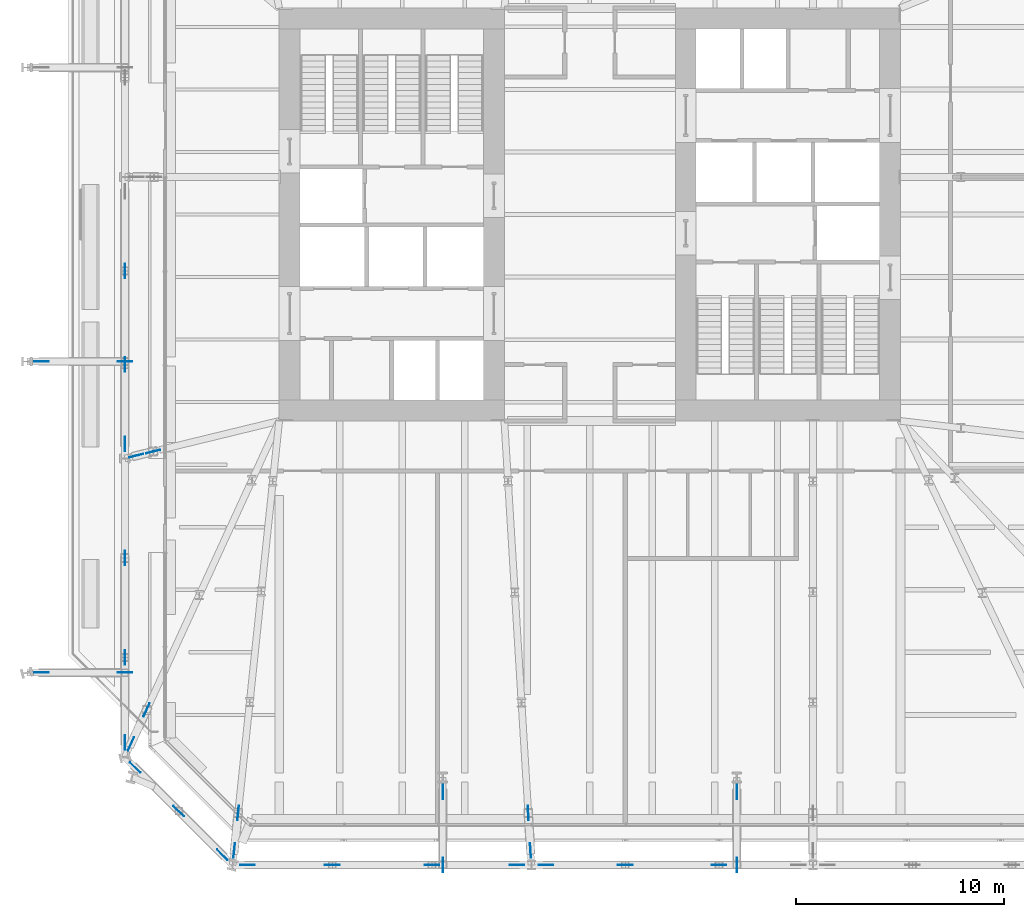
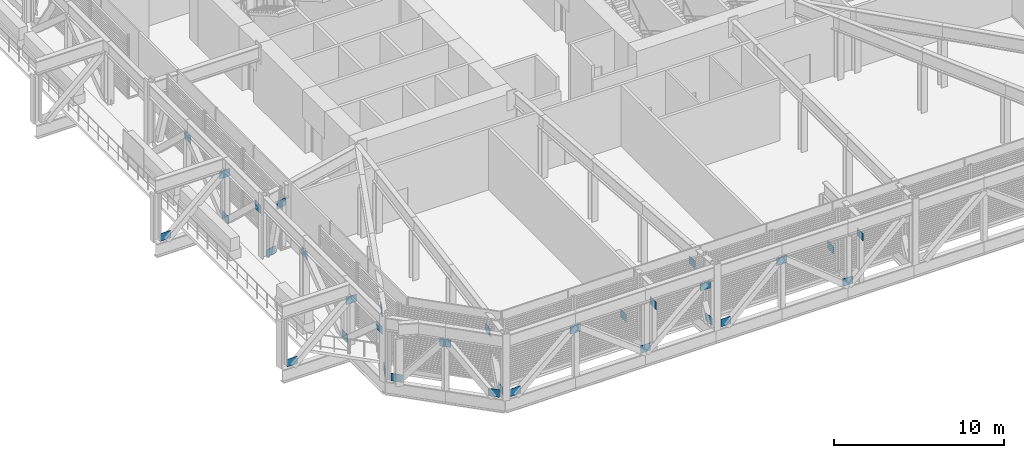
# One storey, part 23 of 29: 32 discrete accessories.
"""IFC4 building model written with IfcOpenShell, lengths in metres."""

from ifc_helpers import new_model, si_unit, direction, frame, origin, origin_2d, place, context, subcontext, project, spatial, rectangle, extrude, material, layer, layer_set, type_object, element, save


model = new_model("IFC4")

# Units and contexts
model_context = context("Model", 3, precision=1e-05, world=origin(), true_north=direction((0.0, 1.0)))
body_context = subcontext(model_context, "Body", "Model", "MODEL_VIEW")
ifc_project = project(units=[si_unit("LENGTHUNIT", "METRE"), si_unit("AREAUNIT", "SQUARE_METRE"), si_unit("VOLUMEUNIT", "CUBIC_METRE"), si_unit("PLANEANGLEUNIT", "RADIAN"), si_unit("MASSUNIT", "GRAM", prefix="KILO")], contexts=[model_context])

# Site, building, storey
site_placement = place(None, origin())
site = spatial("IfcSite", under=ifc_project, at=site_placement, CompositionType="ELEMENT")
building_placement = place(site_placement, origin())
building = spatial("IfcBuilding", under=site, at=building_placement, Name="Millrace Tower", CompositionType="ELEMENT")
storey_placement = place(building_placement, frame((0.0, 0.0, 68.60009765625)))
storey = spatial("IfcBuildingStorey", under=building, at=storey_placement, Name="L15", CompositionType="ELEMENT", Elevation=68.60009765625)

# Discrete accessories
ifc_material = material(Name="Steel ASTM A572 Grade 50", Category="steel")
ifc_layer = layer(ifc_material, 0.02490234375)
ifc_layer_set = layer_set([ifc_layer], Name="Steel ASTM A572 Grade 50")
discrete_accessory_type = type_object("IfcDiscreteAccessoryType", Name="Truss gusset plate 700x550x25", PredefinedType="BRACKET", material=ifc_layer_set)
for number, where, z_axis, x_axis, name in (
    (1, (-22.052490234375, -26.27587890625, 0.074951171875), (0.706932380706, -0.707281138664, 0.0), (0.707281138664, 0.706932380706, 0.0), "Truss gusset plate TRS-L15-R01-D01 foot"),
    (2, (-19.961669921875, -28.36669921875, 3.1318359375), (0.706932380706, -0.707281138664, 0.0), (0.707281138664, 0.706932380706, 0.0), "Truss gusset plate TRS-L15-R01-D01 head"),
    (3, (-17.870849609375, -30.45751953125, 0.074951171875), (0.707106781187, -0.707106781187, 0.0), (0.707106781187, 0.707106781187, 0.0), "Truss gusset plate TRS-L15-R01-D02 foot"),
    (4, (-16.7783203125, -31.199951171875, 0.074951171875), (1.0, 0.0, 0.0), (0.0, 1.0, 0.0), "Truss gusset plate TRS-L15-R02-D01 foot"),
):
    element("IfcDiscreteAccessory", number, at=place(storey_placement, frame(where, z_axis=z_axis, x_axis=x_axis)), inside=storey, type_object=discrete_accessory_type, Name=name, PredefinedType="BRACKET", context=body_context, shape_type="SweptSolid", body=[
        extrude(rectangle(XDim=0.02490234375, YDim=0.550048828125, at=origin_2d()), origin(), (0.0, 0.0, 1.0), 0.699951171875),
    ])
discrete_accessory_1_placement = place(storey_placement, frame((-12.702392578125, -31.199951171875, 3.1318359375), z_axis=(1.0, 0.0, 0.0), x_axis=(0.0, 1.0, 0.0)))
element("IfcDiscreteAccessory", 5, at=discrete_accessory_1_placement, inside=storey, type_object=discrete_accessory_type, Name="Truss gusset plate TRS-L15-R02-D01 head", PredefinedType="BRACKET", context=body_context, shape_type="SweptSolid", body=[
    extrude(rectangle(XDim=0.02490234375, YDim=0.550048828125, at=origin_2d()), origin(), (0.0, 0.0, 1.0), 0.7001953125),
])
discrete_accessory_2_placement = place(storey_placement, frame((-7.926025390625, -31.199951171875, 0.074951171875), z_axis=(1.0, 0.0, 0.0), x_axis=(0.0, 1.0, 0.0)))
element("IfcDiscreteAccessory", 6, at=discrete_accessory_2_placement, inside=storey, type_object=discrete_accessory_type, Name="Truss gusset plate TRS-L15-R02-D02 foot", PredefinedType="BRACKET", context=body_context, shape_type="SweptSolid", body=[
    extrude(rectangle(XDim=0.02490234375, YDim=0.550048828125, at=origin_2d()), origin(), (0.0, 0.0, 1.0), 0.699951171875),
])
discrete_accessory_3_placement = place(storey_placement, frame((-3.85009765625, -31.199951171875, 3.1318359375), z_axis=(1.0, 0.0, 0.0), x_axis=(0.0, 1.0, 0.0)))
element("IfcDiscreteAccessory", 7, at=discrete_accessory_3_placement, inside=storey, type_object=discrete_accessory_type, Name="Truss gusset plate TRS-L15-R02-D03 head", PredefinedType="BRACKET", context=body_context, shape_type="SweptSolid", body=[
    extrude(rectangle(XDim=0.02490234375, YDim=0.550048828125, at=origin_2d()), origin(), (0.0, 0.0, 1.0), 0.7001953125),
])
for number, where, z_axis, x_axis, name in (
    (8, (-2.449951171875, -31.199951171875, 0.074951171875), (1.0, 0.0, 0.0), (0.0, 1.0, 0.0), "Truss gusset plate TRS-L15-R03-D01 foot"),
    (9, (1.35009765625, -31.199951171875, 3.1318359375), (1.0, 0.0, 0.0), (0.0, 1.0, 0.0), "Truss gusset plate TRS-L15-R03-D01 head"),
    (10, (5.85009765625, -31.199951171875, 0.074951171875), (1.0, 0.0, 0.0), (0.0, 1.0, 0.0), "Truss gusset plate TRS-L15-R03-D02 foot"),
    (11, (-22.300048828125, -3.050048828125, 3.1318359375), (0.0, 1.0, 0.0), (-1.0, 0.0, 0.0), "Truss gusset plate TRS-L15-R15-D01 head"),
    (12, (-22.300048828125, -7.550048828125, 0.074951171875), (0.0, 1.0, 0.0), (-1.0, 0.0, 0.0), "Truss gusset plate TRS-L15-R15-D02 foot"),
):
    element("IfcDiscreteAccessory", number, at=place(storey_placement, frame(where, z_axis=z_axis, x_axis=x_axis)), inside=storey, type_object=discrete_accessory_type, Name=name, PredefinedType="BRACKET", context=body_context, shape_type="SweptSolid", body=[
        extrude(rectangle(XDim=0.02490234375, YDim=0.550048828125, at=origin_2d()), origin(), (0.0, 0.0, 1.0), 0.699951171875),
    ])
discrete_accessory_4_placement = place(storey_placement, frame((-22.300048828125, -11.35009765625, 3.1318359375), z_axis=(0.0, 1.0, 0.0), x_axis=(-1.0, 0.0, 0.0)))
element("IfcDiscreteAccessory", 13, at=discrete_accessory_4_placement, inside=storey, type_object=discrete_accessory_type, Name="Truss gusset plate TRS-L15-R15-D03 head", PredefinedType="BRACKET", context=body_context, shape_type="SweptSolid", body=[
    extrude(rectangle(XDim=0.02490234375, YDim=0.550048828125, at=origin_2d()), origin(), (0.0, 0.0, 1.0), 0.7001953125),
])
for number, where, z_axis, x_axis, name in (
    (14, (-22.300048828125, -21.602294921875, 0.074951171875), (0.0, 1.0, 0.0), (-1.0, 0.0, 0.0), "Truss gusset plate TRS-L15-R16-D02 foot"),
    (15, (-22.300048828125, -16.826171875, 3.1318359375), (0.0, 1.0, 0.0), (-1.0, 0.0, 0.0), "Truss gusset plate TRS-L15-R16-D02 head"),
    (16, (-22.300048828125, -25.678466796875, 3.1318359375), (0.0, 1.0, 0.0), (-1.0, 0.0, 0.0), "Truss gusset plate TRS-L15-R16-D03 head"),
):
    element("IfcDiscreteAccessory", number, at=place(storey_placement, frame(where, z_axis=z_axis, x_axis=x_axis)), inside=storey, type_object=discrete_accessory_type, Name=name, PredefinedType="BRACKET", context=body_context, shape_type="SweptSolid", body=[
        extrude(rectangle(XDim=0.02490234375, YDim=0.550048828125, at=origin_2d()), origin(), (0.0, 0.0, 1.0), 0.699951171875),
    ])
discrete_accessory_5_placement = place(storey_placement, frame((-22.154052734375, -25.710205078125, 0.074951171875), z_axis=(0.417243239978, 0.908794849618, 0.0), x_axis=(-0.908794849618, 0.417243239978, 0.0)))
element("IfcDiscreteAccessory", 17, at=discrete_accessory_5_placement, inside=storey, type_object=discrete_accessory_type, Name="Truss gusset plate TRS-L15-C01-D01 foot", PredefinedType="BRACKET", context=body_context, shape_type="SweptSolid", body=[
    extrude(rectangle(XDim=0.02490234375, YDim=0.550048828125, at=origin_2d()), origin(), (0.0, 0.0, 1.0), 0.69970703125),
])
for number, where, z_axis, x_axis, name in (
    (18, (-21.4033203125, -24.07421875, 3.1318359375), (0.416822850749, 0.908987739793, 0.0), (-0.908987739793, 0.416822850749, 0.0), "Truss gusset plate TRS-L15-C01-D01 head"),
    (19, (-17.092041015625, -30.851806640625, 0.074951171875), (0.10395837647, 0.994581648715, 0.0), (-0.994581648715, 0.10395837647, 0.0), "Truss gusset plate TRS-L15-C02-D01 foot"),
):
    element("IfcDiscreteAccessory", number, at=place(storey_placement, frame(where, z_axis=z_axis, x_axis=x_axis)), inside=storey, type_object=discrete_accessory_type, Name=name, PredefinedType="BRACKET", context=body_context, shape_type="SweptSolid", body=[
        extrude(rectangle(XDim=0.02490234375, YDim=0.550048828125, at=origin_2d()), origin(), (0.0, 0.0, 1.0), 0.699951171875),
    ])
discrete_accessory_6_placement = place(storey_placement, frame((-16.90478515625, -29.061767578125, 3.1318359375), z_axis=(0.104267266743, 0.994549313552, 0.0), x_axis=(-0.994549313552, 0.104267266743, 0.0)))
element("IfcDiscreteAccessory", 20, at=discrete_accessory_6_placement, inside=storey, type_object=discrete_accessory_type, Name="Truss gusset plate TRS-L15-C02-D01 head", PredefinedType="BRACKET", context=body_context, shape_type="SweptSolid", body=[
    extrude(rectangle(XDim=0.02490234375, YDim=0.550048828125, at=origin_2d()), origin(), (0.0, 0.0, 1.0), 0.7001953125),
])
discrete_accessory_7_placement = place(storey_placement, frame((-2.864013671875, -30.152099609375, 0.074951171875), z_axis=(0.06105331653, -0.998134506237, 0.0), x_axis=(0.998134506237, 0.06105331653, 0.0)))
element("IfcDiscreteAccessory", 21, at=discrete_accessory_7_placement, inside=storey, type_object=discrete_accessory_type, Name="Truss gusset plate TRS-L15-C03-D01 foot", PredefinedType="BRACKET", context=body_context, shape_type="SweptSolid", body=[
    extrude(rectangle(XDim=0.02490234375, YDim=0.550048828125, at=origin_2d()), origin(), (0.0, 0.0, 1.0), 0.69970703125),
])
for number, where, z_axis, x_axis, name in (
    (22, (-2.9736328125, -28.355224609375, 3.1318359375), (0.061032063609, -0.998135805996, 0.0), (0.998135805996, 0.061032063609, 0.0), "Truss gusset plate TRS-L15-C03-D01 head"),
    (23, (-22.095947265625, -11.650390625, 0.074951171875), (0.971641620786, 0.236458370026, 0.0), (-0.236458370026, 0.971641620786, 0.0), "Truss gusset plate TRS-L15-C16-D01 foot"),
    (24, (-21.27978515625, -11.451904296875, 3.1318359375), (0.971641620786, 0.236458370026, 0.0), (-0.236458370026, 0.971641620786, 0.0), "Truss gusset plate TRS-L15-C16-D01 head"),
    (25, (-26.64990234375, -21.978515625, 0.074951171875), (1.0, 0.0, 0.0), (0.0, 1.0, 0.0), "Truss gusset plate TRS-L15-B-A-X01-D01 foot"),
    (26, (-22.64990234375, -21.978515625, 3.1318359375), (1.0, 0.0, 0.0), (0.0, 1.0, 0.0), "Truss gusset plate TRS-L15-B-A-X01-D01 head"),
    (27, (-7.050048828125, -28.050048828125, 0.074951171875), (0.0, 1.0, 0.0), (-1.0, 0.0, 0.0), "Truss gusset plate TRS-L15-B-A-X03-D01 foot"),
    (28, (-7.050048828125, -31.550048828125, 3.1318359375), (0.0, 1.0, 0.0), (-1.0, 0.0, 0.0), "Truss gusset plate TRS-L15-B-A-X03-D01 head"),
    (29, (7.050048828125, -28.050048828125, 0.074951171875), (0.0, 1.0, 0.0), (-1.0, 0.0, 0.0), "Truss gusset plate TRS-L15-B-A-X04-D01 foot"),
    (30, (7.050048828125, -31.550048828125, 3.1318359375), (0.0, 1.0, 0.0), (-1.0, 0.0, 0.0), "Truss gusset plate TRS-L15-B-A-X04-D01 head"),
    (31, (-26.64990234375, -7.050048828125, 0.074951171875), (1.0, 0.0, 0.0), (0.0, 1.0, 0.0), "Truss gusset plate TRS-L15-B-A-X16-D01 foot"),
    (32, (-22.64990234375, -7.050048828125, 3.1318359375), (1.0, 0.0, 0.0), (0.0, 1.0, 0.0), "Truss gusset plate TRS-L15-B-A-X16-D01 head"),
):
    element("IfcDiscreteAccessory", number, at=place(storey_placement, frame(where, z_axis=z_axis, x_axis=x_axis)), inside=storey, type_object=discrete_accessory_type, Name=name, PredefinedType="BRACKET", context=body_context, shape_type="SweptSolid", body=[
        extrude(rectangle(XDim=0.02490234375, YDim=0.550048828125, at=origin_2d()), origin(), (0.0, 0.0, 1.0), 0.699951171875),
    ])

save(model, "model.ifc")
